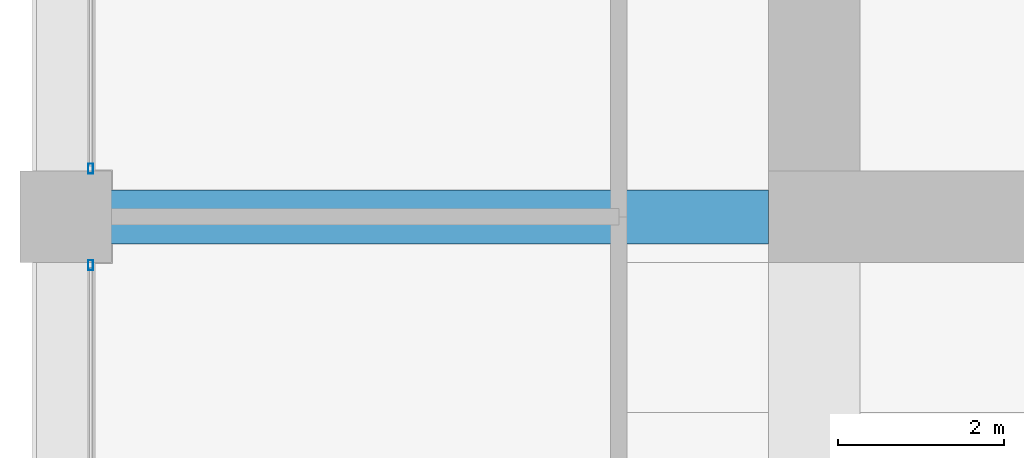
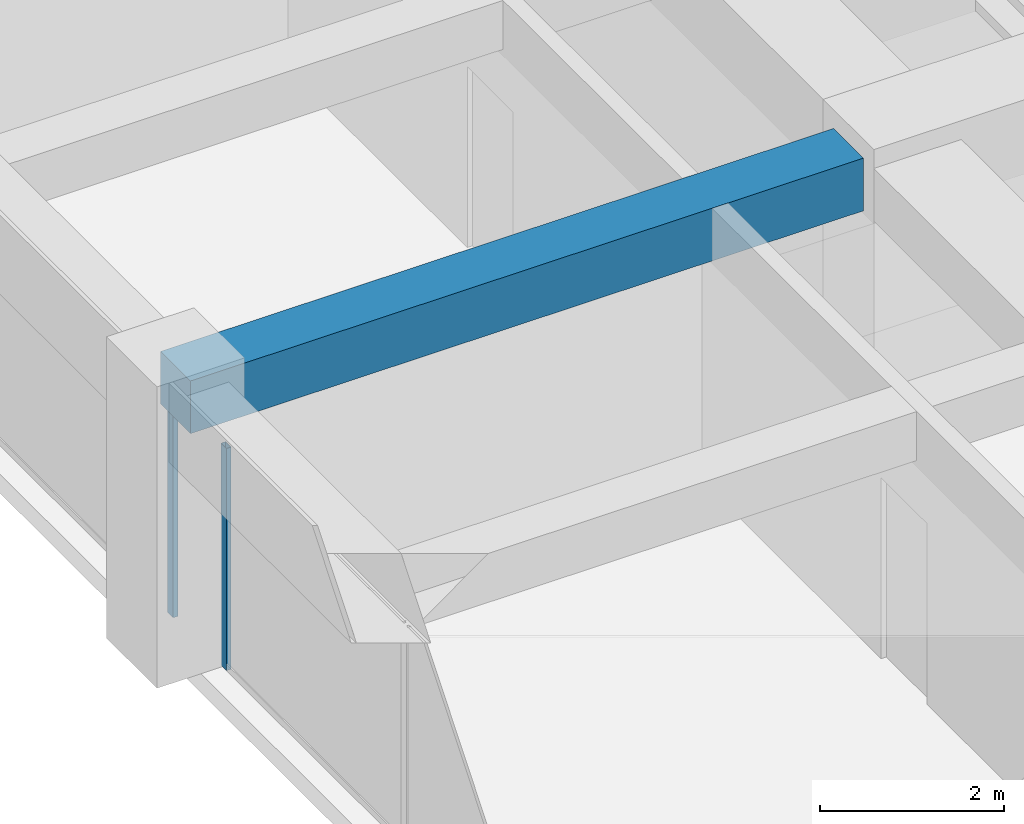
# One storey, part 13 of 44: 2 members, 1 beam, 2 elements without a shape of their own.
"""IFC4 building model written with IfcOpenShell, lengths in metres."""

from ifc_helpers import new_model, si_unit, direction, frame, origin, origin_2d, place, context, subcontext, project, spatial, rectangle, hollow_rectangle, extrude, material, material_profile, profile_set, type_object, element, aggregate, save


model = new_model("IFC4")

# Units and contexts
model_context = context("Model", 3, precision=1e-05, world=origin(), true_north=direction((0.0, 1.0)))
body_context = subcontext(model_context, "Body", "Model", "MODEL_VIEW")
ifc_project = project(units=[si_unit("LENGTHUNIT", "METRE"), si_unit("AREAUNIT", "SQUARE_METRE"), si_unit("VOLUMEUNIT", "CUBIC_METRE"), si_unit("PLANEANGLEUNIT", "RADIAN"), si_unit("MASSUNIT", "GRAM", prefix="KILO")], contexts=[model_context])

# Site, building, storey
site_placement = place(None, origin())
site = spatial("IfcSite", under=ifc_project, at=site_placement, CompositionType="ELEMENT")
building_placement = place(site_placement, origin())
building = spatial("IfcBuilding", under=site, at=building_placement, Name="Zorevar Civic Tower", CompositionType="ELEMENT")
storey_placement = place(building_placement, frame((0.0, 0.0, 267.39990234375)))
storey = spatial("IfcBuildingStorey", under=building, at=storey_placement, Name="L65", CompositionType="ELEMENT", Elevation=267.39990234375)

# Beam
ifc_material_1 = material(Name="Concrete C50/60", Category="concrete")
ifc_material_profile_1 = material_profile(ifc_material_1, rectangle(XDim=0.64990234375, YDim=0.699951171875, at=origin_2d()), Name="RC 650x700")
ifc_profile_set_1 = profile_set([ifc_material_profile_1], Name="Concrete C50/60")
beam_type = type_object("IfcBeamType", Name="Beam RC 650x700", PredefinedType="BEAM", material=ifc_profile_set_1)
beam_placement = place(storey_placement, frame((9.0, 18.0, 3.400146484375), z_axis=(1.0, 0.0, 0.0), x_axis=(0.0, 1.0, 0.0)))
element("IfcBeam", 1, at=beam_placement, inside=storey, type_object=beam_type, Name="Girder L66", PredefinedType="BEAM", context=body_context, shape_type="SweptSolid", body=[
    extrude(rectangle(XDim=0.64990234375, YDim=0.699951171875, at=origin_2d()), origin(), (0.0, 0.0, 1.0), 8.449951171875),
])

# Curtain wall, member
ifc_material_2 = material(Name="Dark grey solar-control glass in black aluminium frame", Category="aluminium")
curtain_wall_type = type_object("IfcCurtainWallType", Name="Curtain wall CW5 top zone", PredefinedType="NOTDEFINED", material=ifc_material_2)
curtain_wall_1_placement = place(storey_placement, origin())
curtain_wall_1 = element("IfcCurtainWall", 2, at=curtain_wall_1_placement, inside=storey, type_object=curtain_wall_type, Name="CW5 L65", PredefinedType="NOTDEFINED")
ifc_material_3 = material(Name="Aluminium, black anodised", Category="aluminium")
ifc_material_profile_2 = material_profile(ifc_material_3, hollow_rectangle(XDim=0.06005859375, YDim=0.1201171875, WallThickness=0.0029296875, at=origin_2d()), Name="AL 120x60x3")
ifc_profile_set_2 = profile_set([ifc_material_profile_2], Name="Aluminium, black anodised")
member_type = type_object("IfcMemberType", Name="CW5 mullion AL 120x60x3", PredefinedType="MULLION", material=ifc_profile_set_2)
member_1_placement = place(storey_placement, frame((9.300048828125, 17.419921875, 0.0), z_axis=(0.0, 0.0, 1.0), x_axis=(-1.0, 0.0, 0.0)))
member_1 = element("IfcMember", 3, at=member_1_placement, type_object=member_type, Name="CW5 mullion 3", PredefinedType="MULLION", context=body_context, shape_type="SweptSolid", body=[
    extrude(hollow_rectangle(XDim=0.06005859375, YDim=0.1201171875, WallThickness=0.0029296875, at=origin_2d()), origin(), (0.0, 0.0, 1.0), 2.9501953125),
])
aggregate(curtain_wall_1, [member_1])

curtain_wall_2_placement = place(storey_placement, origin())
curtain_wall_2 = element("IfcCurtainWall", 4, at=curtain_wall_2_placement, inside=storey, type_object=curtain_wall_type, Name="CW5 L65", PredefinedType="NOTDEFINED")
member_2_placement = place(storey_placement, frame((9.300048828125, 18.580078125, 0.0), z_axis=(0.0, 0.0, 1.0), x_axis=(-1.0, 0.0, 0.0)))
member_2 = element("IfcMember", 5, at=member_2_placement, type_object=member_type, Name="CW5 mullion 1", PredefinedType="MULLION", context=body_context, shape_type="SweptSolid", body=[
    extrude(hollow_rectangle(XDim=0.06005859375, YDim=0.1201171875, WallThickness=0.0029296875, at=origin_2d()), origin(), (0.0, 0.0, 1.0), 2.9501953125),
])
aggregate(curtain_wall_2, [member_2])

save(model, "model.ifc")
